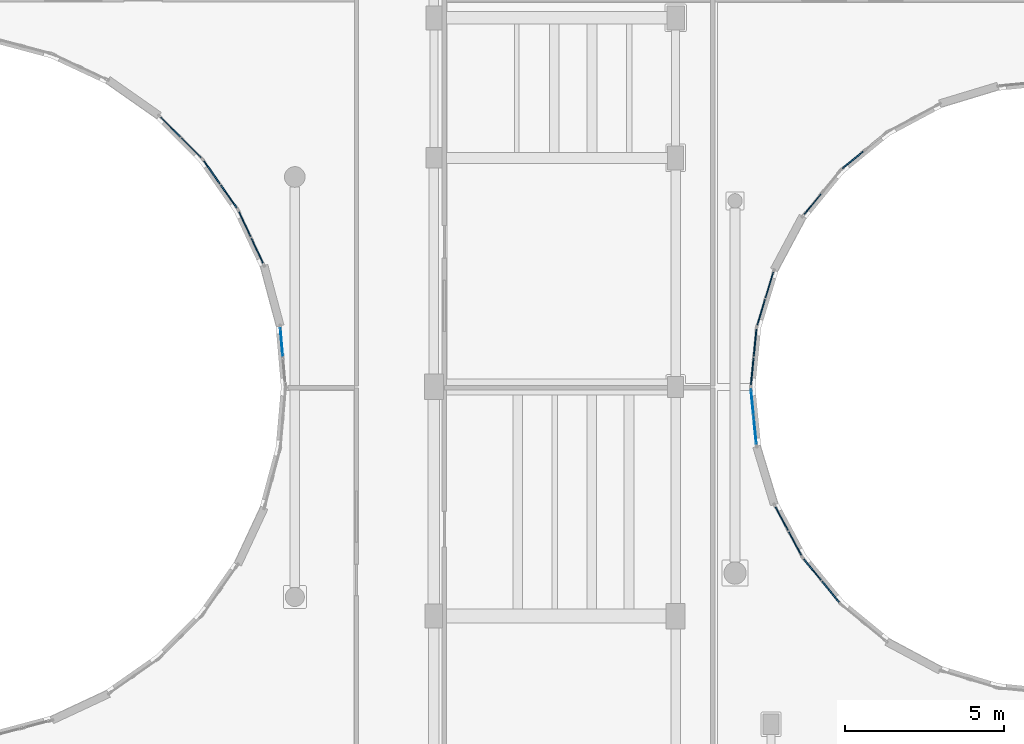
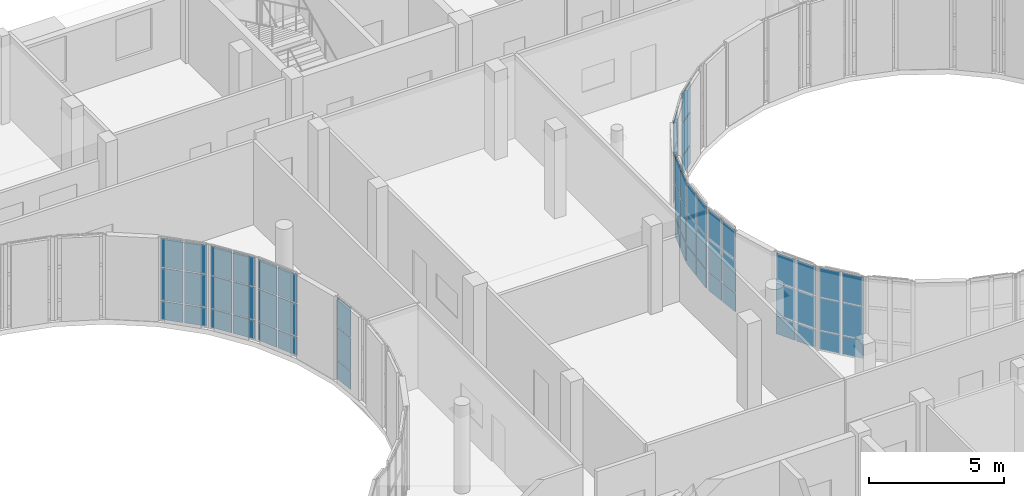
# One storey, part 59 of 92: 57 plates, 11 elements without a shape of their own.
"""IFC4 building model written with IfcOpenShell, lengths in metres."""

import ifcopenshell
import ifcopenshell.guid

model = None  # the IFC model being written
_history = None  # IfcOwnerHistory: only IFC2X3 demands one
_inside = {}  # id of a spatial element -> (the spatial element, [elements in it])
_under = {}  # id of a project, library or spatial element -> (it, [spatial elements below it])
_declared = {}  # id of a project -> (the project, [libraries it declares])
_typed = {}  # id of a type object -> (the type object, [elements of that type])
_made_of = {}  # id of a material, layer set ... -> (it, [elements and type objects made of it])


def new_model(schema):
    """Start an empty IFC model of exactly this schema.

    Asked for "IFC4X3", IfcOpenShell would pick the latest addendum, in which some entities
    have other attributes; the version numbers below select the first issue.
    IFC2X3 requires an IfcOwnerHistory on every rooted entity: one is made here for all.
    """
    global model, _history
    if schema == "IFC4X3":
        model = ifcopenshell.file(schema_version=(4, 3, 0, 0))
    else:
        model = ifcopenshell.file(schema=schema)
    _inside.clear()
    _under.clear()
    _declared.clear()
    _typed.clear()
    _made_of.clear()
    _history = None
    if model.schema == "IFC2X3":
        org = make("IfcOrganization", Name="unknown")
        user = make(
            "IfcPersonAndOrganization",
            ThePerson=make("IfcPerson", FamilyName="unknown"),
            TheOrganization=org,
        )
        app = make(
            "IfcApplication",
            ApplicationDeveloper=org,
            Version="unknown",
            ApplicationFullName="unknown",
            ApplicationIdentifier="unknown",
        )
        _history = make(
            "IfcOwnerHistory",
            OwningUser=user,
            OwningApplication=app,
            ChangeAction="ADDED",
            CreationDate=0,
        )
    return model


def make(cls, **values):
    """One entity of the class cls with the attributes given. An attribute that is None is left unset."""
    return model.create_entity(
        cls, **{name: value for name, value in values.items() if value is not None}
    )


def rooted(cls, **values):
    """An entity with a GlobalId (a new one), such as an element, a storey or a relation."""
    return make(cls, GlobalId=ifcopenshell.guid.new(), OwnerHistory=_history, **values)


def si_unit(unit_type, name, prefix=None):
    """IfcSIUnit, for example si_unit("LENGTHUNIT", "METRE", prefix="MILLI")."""
    return make("IfcSIUnit", UnitType=unit_type, Prefix=prefix, Name=name)


def assignment(units):
    """IfcUnitAssignment: the units of a project."""
    return None if units is None else make("IfcUnitAssignment", Units=units)


def point(xyz):
    """IfcCartesianPoint."""
    return None if xyz is None else make("IfcCartesianPoint", Coordinates=xyz)


def direction(xyz):
    """IfcDirection."""
    return None if xyz is None else make("IfcDirection", DirectionRatios=xyz)


def frame(location, z_axis=None, x_axis=None):
    """IfcAxis2Placement3D, a coordinate frame: its origin and axes. An axis left out is left unset."""
    return make(
        "IfcAxis2Placement3D",
        Location=point(location),
        Axis=direction(z_axis),
        RefDirection=direction(x_axis),
    )


def frame_2d(location, x_axis=None):
    """IfcAxis2Placement2D, a coordinate frame in the plane: its origin and x axis."""
    return make(
        "IfcAxis2Placement2D", Location=point(location), RefDirection=direction(x_axis)
    )


def origin():
    """The frame at (0, 0, 0) with its axes left unset."""
    return frame((0.0, 0.0, 0.0))


def origin_2d():
    """The frame at (0, 0) in the plane with its x axis left unset."""
    return frame_2d((0.0, 0.0))


def place(relative_to, where):
    """IfcLocalPlacement: puts the frame where relative to a parent placement (None: the world)."""
    return make(
        "IfcLocalPlacement", PlacementRelTo=relative_to, RelativePlacement=where
    )


def context(
    kind, dimensions, precision=None, world=None, true_north=None, identifier=None
):
    """IfcGeometricRepresentationContext, for example the 3D "Model" context."""
    return make(
        "IfcGeometricRepresentationContext",
        ContextIdentifier=identifier,
        ContextType=kind,
        CoordinateSpaceDimension=dimensions,
        Precision=precision,
        WorldCoordinateSystem=world,
        TrueNorth=true_north,
    )


def subcontext(parent, identifier, kind, view, scale=None):
    """IfcGeometricRepresentationSubContext, for example "Body" below "Model"."""
    return make(
        "IfcGeometricRepresentationSubContext",
        ContextIdentifier=identifier,
        ContextType=kind,
        ParentContext=parent,
        TargetScale=scale,
        TargetView=view,
    )


def project(units=None, contexts=None):
    """IfcProject with its units and contexts."""
    return rooted(
        "IfcProject",
        Name="project",
        RepresentationContexts=contexts,
        UnitsInContext=assignment(units),
    )


def spatial(cls, under=None, at=None, **own):
    """A site, building, storey or space (cls), placed at a placement, below another one or the project."""
    s = rooted(cls, ObjectPlacement=at, **own)
    if under is not None:
        _under.setdefault(under.id(), (under, []))[1].append(s)
    return s


def profile(cls, at=None, kind="AREA", **sizes):
    """A parametric profile (cls). Its sizes go by their IFC names, for example OverallWidth=200.0."""
    return make(cls, ProfileType=kind, Position=at, **sizes)


def rectangle(**sizes):
    """IfcRectangleProfileDef."""
    return profile("IfcRectangleProfileDef", **sizes)


def extrude(swept, where, along, depth):
    """IfcExtrudedAreaSolid: the profile swept, set in the frame where, extruded along a direction by depth."""
    return make(
        "IfcExtrudedAreaSolid",
        SweptArea=swept,
        Position=where,
        ExtrudedDirection=direction(along),
        Depth=depth,
    )


def shape(context_of_items, identifier, shape_type, items):
    """IfcShapeRepresentation: the items that make up one representation, for example the "Body"."""
    return make(
        "IfcShapeRepresentation",
        ContextOfItems=context_of_items,
        RepresentationIdentifier=identifier,
        RepresentationType=shape_type,
        Items=items,
    )


def material(Name=None, Category=None):
    """IfcMaterial."""
    return make("IfcMaterial", Name=Name, Category=Category)


def layer(
    of_material, thickness, ventilated=None, Name=None, Category=None, Priority=None
):
    """IfcMaterialLayer: one layer of a wall or slab, of a material (None: an air gap)."""
    return make(
        "IfcMaterialLayer",
        Material=of_material,
        LayerThickness=thickness,
        IsVentilated=ventilated,
        Name=Name,
        Category=Category,
        Priority=Priority,
    )


def layer_set(layers, Name=None):
    """IfcMaterialLayerSet."""
    return make("IfcMaterialLayerSet", MaterialLayers=layers, LayerSetName=Name)


def made_of(thing, what):
    """Note that an element or type object is made of a material, layer set ...; save() writes the relation."""
    if what is not None:
        _made_of.setdefault(what.id(), (what, []))[1].append(thing)
    return thing


def type_object(cls, material=None, **own):
    """A type object (cls), such as IfcWallType, which elements share."""
    return made_of(rooted(cls, **own), material)


def element(
    cls,
    number,
    at=None,
    inside=None,
    cuts=None,
    type_object=None,
    material=None,
    context=None,
    identifier="Body",
    shape_type=None,
    held_by="IfcProductDefinitionShape",
    body=None,
    shapes=None,
    **own,
):
    """One element of the class cls, such as IfcWall. Its Tag is "e" and its number.

    at: its placement. inside: the storey or other place that contains it. cuts: it is an
    opening in that element (IfcRelVoidsElement). A single representation is given by context,
    identifier, shape_type and body (its items); several are given by shapes. held_by: the class
    of the entity that holds the representations. save() writes the other relations.
    """
    e = rooted(cls, Tag="e%d" % number, ObjectPlacement=at, **own)
    if body is not None:
        shapes = [shape(context, identifier, shape_type, body)]
    if shapes is not None:
        e.Representation = make(held_by, Representations=shapes)
    if inside is not None:
        _inside.setdefault(inside.id(), (inside, []))[1].append(e)
    if cuts is not None:
        rooted(
            "IfcRelVoidsElement", RelatingBuildingElement=cuts, RelatedOpeningElement=e
        )
    if type_object is not None:
        _typed.setdefault(type_object.id(), (type_object, []))[1].append(e)
    return made_of(e, material)


def aggregate(whole, parts):
    """IfcRelAggregates: a whole, such as a stair, and the parts it consists of."""
    return rooted("IfcRelAggregates", RelatingObject=whole, RelatedObjects=parts)


def save(model, path):
    """Write the relations noted so far, then the file.

    IfcRelAggregates (storeys below a building ...), IfcRelContainedInSpatialStructure (elements
    in a storey), IfcRelDefinesByType, IfcRelAssociatesMaterial and IfcRelDeclares: one each for
    every whole, place, type object, material and project.
    """
    for whole, parts in _under.values():
        aggregate(whole, parts)
    for where, things in _inside.values():
        rooted(
            "IfcRelContainedInSpatialStructure",
            RelatedElements=things,
            RelatingStructure=where,
        )
    for kind, things in _typed.values():
        rooted("IfcRelDefinesByType", RelatedObjects=things, RelatingType=kind)
    for what, things in _made_of.values():
        rooted("IfcRelAssociatesMaterial", RelatedObjects=things, RelatingMaterial=what)
    for by, libraries in _declared.values():
        rooted("IfcRelDeclares", RelatingContext=by, RelatedDefinitions=libraries)
    model.write(path)


model = new_model("IFC4")

# Units and contexts
model_context = context("Model", 3, precision=1e-05, world=origin(), true_north=direction((0.0, 1.0)))
body_context = subcontext(model_context, "Body", "Model", "MODEL_VIEW")
ifc_project = project(units=[si_unit("LENGTHUNIT", "METRE"), si_unit("AREAUNIT", "SQUARE_METRE"), si_unit("VOLUMEUNIT", "CUBIC_METRE"), si_unit("PLANEANGLEUNIT", "RADIAN"), si_unit("MASSUNIT", "GRAM", prefix="KILO")], contexts=[model_context])

# Site, building, storey
site_placement = place(None, origin())
site = spatial("IfcSite", under=ifc_project, at=site_placement, CompositionType="ELEMENT")
building_placement = place(site_placement, origin())
building = spatial("IfcBuilding", under=site, at=building_placement, Name="Kelanivale Promenade Academy", CompositionType="ELEMENT")
storey_placement = place(building_placement, frame((0.0, 0.0, 8.199951171875)))
storey = spatial("IfcBuildingStorey", under=building, at=storey_placement, Name="L02", CompositionType="ELEMENT", Elevation=8.199951171875)

# Curtain wall, plates
ifc_material_1 = material(Name="Bronze anodised aluminium and solar-control low-E glass", Category="aluminium")
ifc_layer_1 = layer(ifc_material_1, 0.169921875)
ifc_layer_set_1 = layer_set([ifc_layer_1], Name="Bronze anodised aluminium and solar-control low-E glass")
curtain_wall_type_1 = type_object("IfcCurtainWallType", Name="CW-16 Curtain Wall 1800mm Module", PredefinedType="USERDEFINED", material=ifc_layer_set_1)
curtain_wall_1_placement = place(storey_placement, origin())
curtain_wall_1 = element("IfcCurtainWall", 1, at=curtain_wall_1_placement, inside=storey, type_object=curtain_wall_type_1, Name="L02 courtyard curtain wall CW-16", ObjectType="COURTYARD SCREEN GLAZING", PredefinedType="USERDEFINED")
ifc_material_2 = material(Name="Solar-control double glazing 28 mm", Category="glass")
ifc_layer_2 = layer(ifc_material_2, 0.028076171875)
ifc_layer_set_2 = layer_set([ifc_layer_2], Name="Solar-control double glazing 28 mm")
plate_type_1 = type_object("IfcPlateType", Name="CWP-01 Plate 28mm", PredefinedType="CURTAIN_PANEL", material=ifc_layer_set_2)
plate_1_placement = place(storey_placement, frame((91.10595703125, 62.548583984375, 0.06005859375), z_axis=(0.0, 0.0, 1.0), x_axis=(-0.634092539482, -0.773257170269, 0.0)))
plate_1 = element("IfcPlate", 2, at=plate_1_placement, type_object=plate_type_1, Name="CW-16 panel 2.1", PredefinedType="CURTAIN_PANEL", context=body_context, shape_type="SweptSolid", body=[
    extrude(rectangle(XDim=0.825927734375, YDim=0.028076171875, at=origin_2d()), origin(), (0.0, 0.0, 1.0), 0.81005859375),
])
plate_2_placement = place(storey_placement, frame((91.10595703125, 62.548583984375, 0.93017578125), z_axis=(0.0, 0.0, 1.0), x_axis=(-0.634092539482, -0.773257170269, 0.0)))
plate_2 = element("IfcPlate", 3, at=plate_2_placement, type_object=plate_type_1, Name="CW-16 panel 2.2", PredefinedType="CURTAIN_PANEL", context=body_context, shape_type="SweptSolid", body=[
    extrude(rectangle(XDim=0.825927734375, YDim=0.028076171875, at=origin_2d()), origin(), (0.0, 0.0, 1.0), 1.43994140625),
])
plate_3_placement = place(storey_placement, frame((91.10595703125, 62.548583984375, 2.429931640625), z_axis=(0.0, 0.0, 1.0), x_axis=(-0.634092539482, -0.773257170269, 0.0)))
plate_3 = element("IfcPlate", 4, at=plate_3_placement, type_object=plate_type_1, Name="CW-16 panel 2.3", PredefinedType="CURTAIN_PANEL", context=body_context, shape_type="SweptSolid", body=[
    extrude(rectangle(XDim=0.825927734375, YDim=0.028076171875, at=origin_2d()), origin(), (0.0, 0.0, 1.0), 1.2900390625),
])
aggregate(curtain_wall_1, [plate_1, plate_2, plate_3])

ifc_layer_3 = layer(ifc_material_1, 0.169921875)
ifc_layer_set_3 = layer_set([ifc_layer_3], Name="Bronze anodised aluminium and solar-control low-E glass")
curtain_wall_type_2 = type_object("IfcCurtainWallType", Name="CW-19 Curtain Wall 1350mm Module", PredefinedType="USERDEFINED", material=ifc_layer_set_3)
curtain_wall_2_placement = place(storey_placement, origin())
curtain_wall_2 = element("IfcCurtainWall", 5, at=curtain_wall_2_placement, inside=storey, type_object=curtain_wall_type_2, Name="L02 courtyard curtain wall CW-19", ObjectType="COURTYARD SCREEN GLAZING", PredefinedType="USERDEFINED")
plate_4_placement = place(storey_placement, frame((89.2080078125, 56.310302734375, 0.05029296875), z_axis=(0.0, 0.0, 1.0), x_axis=(0.098538762159, -0.99513321337, 0.0)))
plate_4 = element("IfcPlate", 6, at=plate_4_placement, type_object=plate_type_1, Name="CW-19 panel 1.1", PredefinedType="CURTAIN_PANEL", context=body_context, shape_type="SweptSolid", body=[
    extrude(rectangle(XDim=0.825927734375, YDim=0.028076171875, at=origin_2d()), origin(), (0.0, 0.0, 1.0), 0.824951171875),
])
plate_5_placement = place(storey_placement, frame((89.2080078125, 56.310302734375, 0.92529296875), z_axis=(0.0, 0.0, 1.0), x_axis=(0.098538762159, -0.99513321337, 0.0)))
plate_5 = element("IfcPlate", 7, at=plate_5_placement, type_object=plate_type_1, Name="CW-19 panel 1.2", PredefinedType="CURTAIN_PANEL", context=body_context, shape_type="SweptSolid", body=[
    extrude(rectangle(XDim=0.825927734375, YDim=0.028076171875, at=origin_2d()), origin(), (0.0, 0.0, 1.0), 1.449951171875),
])
plate_6_placement = place(storey_placement, frame((89.2080078125, 56.310302734375, 2.42529296875), z_axis=(0.0, 0.0, 1.0), x_axis=(0.098538762159, -0.99513321337, 0.0)))
plate_6 = element("IfcPlate", 8, at=plate_6_placement, type_object=plate_type_1, Name="CW-19 panel 1.3", PredefinedType="CURTAIN_PANEL", context=body_context, shape_type="SweptSolid", body=[
    extrude(rectangle(XDim=0.825927734375, YDim=0.028076171875, at=origin_2d()), origin(), (0.0, 0.0, 1.0), 1.304931640625),
])
plate_7_placement = place(storey_placement, frame((89.2958984375, 55.423583984375, 0.05029296875), z_axis=(0.0, 0.0, 1.0), x_axis=(0.098538762159, -0.99513321337, 0.0)))
plate_7 = element("IfcPlate", 9, at=plate_7_placement, type_object=plate_type_1, Name="CW-19 panel 2.1", PredefinedType="CURTAIN_PANEL", context=body_context, shape_type="SweptSolid", body=[
    extrude(rectangle(XDim=0.825927734375, YDim=0.028076171875, at=origin_2d()), origin(), (0.0, 0.0, 1.0), 0.824951171875),
])
plate_8_placement = place(storey_placement, frame((89.2958984375, 55.423583984375, 0.92529296875), z_axis=(0.0, 0.0, 1.0), x_axis=(0.098538762159, -0.99513321337, 0.0)))
plate_8 = element("IfcPlate", 10, at=plate_8_placement, type_object=plate_type_1, Name="CW-19 panel 2.2", PredefinedType="CURTAIN_PANEL", context=body_context, shape_type="SweptSolid", body=[
    extrude(rectangle(XDim=0.825927734375, YDim=0.028076171875, at=origin_2d()), origin(), (0.0, 0.0, 1.0), 1.449951171875),
])
plate_9_placement = place(storey_placement, frame((89.2958984375, 55.423583984375, 2.42529296875), z_axis=(0.0, 0.0, 1.0), x_axis=(0.098538762159, -0.99513321337, 0.0)))
plate_9 = element("IfcPlate", 11, at=plate_9_placement, type_object=plate_type_1, Name="CW-19 panel 2.3", PredefinedType="CURTAIN_PANEL", context=body_context, shape_type="SweptSolid", body=[
    extrude(rectangle(XDim=0.825927734375, YDim=0.028076171875, at=origin_2d()), origin(), (0.0, 0.0, 1.0), 1.304931640625),
])
aggregate(curtain_wall_2, [plate_4, plate_5, plate_6, plate_7, plate_8, plate_9])

ifc_layer_4 = layer(ifc_material_1, 0.169921875)
ifc_layer_set_4 = layer_set([ifc_layer_4], Name="Bronze anodised aluminium and solar-control low-E glass")
curtain_wall_type_3 = type_object("IfcCurtainWallType", Name="CW-10 Curtain Wall 1800mm Module", PredefinedType="USERDEFINED", material=ifc_layer_set_4)
curtain_wall_3_placement = place(storey_placement, origin())
curtain_wall_3 = element("IfcCurtainWall", 12, at=curtain_wall_3_placement, inside=storey, type_object=curtain_wall_type_3, Name="L02 courtyard curtain wall CW-10", ObjectType="UNITISED GLAZING", PredefinedType="USERDEFINED")
plate_10_placement = place(storey_placement, frame((71.578369140625, 64.316650390625, 0.05029296875), z_axis=(0.0, 0.0, 1.0), x_axis=(-0.707106781187, 0.707106781187, 0.0)))
plate_10 = element("IfcPlate", 13, at=plate_10_placement, type_object=plate_type_1, Name="CW-10 panel 1.1", PredefinedType="CURTAIN_PANEL", context=body_context, shape_type="SweptSolid", body=[
    extrude(rectangle(XDim=0.8603515625, YDim=0.028076171875, at=origin_2d()), origin(), (0.0, 0.0, 1.0), 0.824951171875),
])
plate_11_placement = place(storey_placement, frame((71.578369140625, 64.316650390625, 0.92529296875), z_axis=(0.0, 0.0, 1.0), x_axis=(-0.707106781187, 0.707106781187, 0.0)))
plate_11 = element("IfcPlate", 14, at=plate_11_placement, type_object=plate_type_1, Name="CW-10 panel 1.2", PredefinedType="CURTAIN_PANEL", context=body_context, shape_type="SweptSolid", body=[
    extrude(rectangle(XDim=0.8603515625, YDim=0.028076171875, at=origin_2d()), origin(), (0.0, 0.0, 1.0), 1.449951171875),
])
plate_12_placement = place(storey_placement, frame((71.578369140625, 64.316650390625, 2.42529296875), z_axis=(0.0, 0.0, 1.0), x_axis=(-0.707106781187, 0.707106781187, 0.0)))
plate_12 = element("IfcPlate", 15, at=plate_12_placement, type_object=plate_type_1, Name="CW-10 panel 1.3", PredefinedType="CURTAIN_PANEL", context=body_context, shape_type="SweptSolid", body=[
    extrude(rectangle(XDim=0.8603515625, YDim=0.028076171875, at=origin_2d()), origin(), (0.0, 0.0, 1.0), 1.304931640625),
])
plate_13_placement = place(storey_placement, frame((70.927490234375, 64.96728515625, 0.05029296875), z_axis=(0.0, 0.0, 1.0), x_axis=(-0.707106781187, 0.707106781187, 0.0)))
plate_13 = element("IfcPlate", 16, at=plate_13_placement, type_object=plate_type_1, Name="CW-10 panel 2.1", PredefinedType="CURTAIN_PANEL", context=body_context, shape_type="SweptSolid", body=[
    extrude(rectangle(XDim=0.8603515625, YDim=0.028076171875, at=origin_2d()), origin(), (0.0, 0.0, 1.0), 0.824951171875),
])
plate_14_placement = place(storey_placement, frame((70.927490234375, 64.96728515625, 0.92529296875), z_axis=(0.0, 0.0, 1.0), x_axis=(-0.707106781187, 0.707106781187, 0.0)))
plate_14 = element("IfcPlate", 17, at=plate_14_placement, type_object=plate_type_1, Name="CW-10 panel 2.2", PredefinedType="CURTAIN_PANEL", context=body_context, shape_type="SweptSolid", body=[
    extrude(rectangle(XDim=0.8603515625, YDim=0.028076171875, at=origin_2d()), origin(), (0.0, 0.0, 1.0), 1.449951171875),
])
plate_15_placement = place(storey_placement, frame((70.927490234375, 64.96728515625, 2.42529296875), z_axis=(0.0, 0.0, 1.0), x_axis=(-0.707106781187, 0.707106781187, 0.0)))
plate_15 = element("IfcPlate", 18, at=plate_15_placement, type_object=plate_type_1, Name="CW-10 panel 2.3", PredefinedType="CURTAIN_PANEL", context=body_context, shape_type="SweptSolid", body=[
    extrude(rectangle(XDim=0.8603515625, YDim=0.028076171875, at=origin_2d()), origin(), (0.0, 0.0, 1.0), 1.304931640625),
])
aggregate(curtain_wall_3, [plate_10, plate_11, plate_12, plate_13, plate_14, plate_15])

curtain_wall_4_placement = place(storey_placement, origin())
curtain_wall_4 = element("IfcCurtainWall", 19, at=curtain_wall_4_placement, inside=storey, type_object=curtain_wall_type_3, Name="L02 courtyard curtain wall CW-10", ObjectType="UNITISED GLAZING", PredefinedType="USERDEFINED")
plate_16_placement = place(storey_placement, frame((74.415771484375, 58.21826171875, 0.05029296875), z_axis=(0.0, 0.0, 1.0), x_axis=(-0.087264768066, 0.996185153601, 0.0)))
plate_16 = element("IfcPlate", 20, at=plate_16_placement, type_object=plate_type_1, Name="CW-10 panel 2.1", PredefinedType="CURTAIN_PANEL", context=body_context, shape_type="SweptSolid", body=[
    extrude(rectangle(XDim=0.861083984375, YDim=0.028076171875, at=origin_2d()), origin(), (0.0, 0.0, 1.0), 0.824951171875),
])
plate_17_placement = place(storey_placement, frame((74.415771484375, 58.21826171875, 0.92529296875), z_axis=(0.0, 0.0, 1.0), x_axis=(-0.087264768066, 0.996185153601, 0.0)))
plate_17 = element("IfcPlate", 21, at=plate_17_placement, type_object=plate_type_1, Name="CW-10 panel 2.2", PredefinedType="CURTAIN_PANEL", context=body_context, shape_type="SweptSolid", body=[
    extrude(rectangle(XDim=0.861083984375, YDim=0.028076171875, at=origin_2d()), origin(), (0.0, 0.0, 1.0), 1.449951171875),
])
plate_18_placement = place(storey_placement, frame((74.415771484375, 58.21826171875, 2.42529296875), z_axis=(0.0, 0.0, 1.0), x_axis=(-0.087264768066, 0.996185153601, 0.0)))
plate_18 = element("IfcPlate", 22, at=plate_18_placement, type_object=plate_type_1, Name="CW-10 panel 2.3", PredefinedType="CURTAIN_PANEL", context=body_context, shape_type="SweptSolid", body=[
    extrude(rectangle(XDim=0.861083984375, YDim=0.028076171875, at=origin_2d()), origin(), (0.0, 0.0, 1.0), 1.304931640625),
])
aggregate(curtain_wall_4, [plate_16, plate_17, plate_18])

ifc_layer_5 = layer(ifc_material_1, 0.179931640625)
ifc_layer_set_5 = layer_set([ifc_layer_5], Name="Bronze anodised aluminium and solar-control low-E glass")
curtain_wall_type_4 = type_object("IfcCurtainWallType", Name="CW-17 Curtain Wall 1950mm Module", PredefinedType="USERDEFINED", material=ifc_layer_set_5)
curtain_wall_5_placement = place(storey_placement, origin())
curtain_wall_5 = element("IfcCurtainWall", 23, at=curtain_wall_5_placement, inside=storey, type_object=curtain_wall_type_4, Name="L02 courtyard curtain wall CW-17", ObjectType="COURTYARD SCREEN GLAZING", PredefinedType="USERDEFINED")
ifc_material_3 = material(Name="Acoustic laminated double glazing 36 mm", Category="glass")
ifc_layer_6 = layer(ifc_material_3, 0.035888671875)
ifc_layer_set_6 = layer_set([ifc_layer_6], Name="Acoustic laminated double glazing 36 mm")
plate_type_2 = type_object("IfcPlateType", Name="CWP-02 Plate 36mm", PredefinedType="CURTAIN_PANEL", material=ifc_layer_set_6)
plate_19_placement = place(storey_placement, frame((89.74658203125, 60.005615234375, 0.05029296875), z_axis=(0.0, 0.0, 1.0), x_axis=(-0.290127576893, -0.956987977524, 0.0)))
plate_19 = element("IfcPlate", 24, at=plate_19_placement, type_object=plate_type_2, Name="CW-17 panel 1.1", PredefinedType="CURTAIN_PANEL", context=body_context, shape_type="SweptSolid", body=[
    extrude(rectangle(XDim=0.833740234375, YDim=0.035888671875, at=origin_2d()), origin(), (0.0, 0.0, 1.0), 0.824951171875),
])
plate_20_placement = place(storey_placement, frame((89.74658203125, 60.005615234375, 0.92529296875), z_axis=(0.0, 0.0, 1.0), x_axis=(-0.290127576893, -0.956987977524, 0.0)))
plate_20 = element("IfcPlate", 25, at=plate_20_placement, type_object=plate_type_2, Name="CW-17 panel 1.2", PredefinedType="CURTAIN_PANEL", context=body_context, shape_type="SweptSolid", body=[
    extrude(rectangle(XDim=0.833740234375, YDim=0.035888671875, at=origin_2d()), origin(), (0.0, 0.0, 1.0), 1.449951171875),
])
plate_21_placement = place(storey_placement, frame((89.74658203125, 60.005615234375, 2.42529296875), z_axis=(0.0, 0.0, 1.0), x_axis=(-0.290127576893, -0.956987977524, 0.0)))
plate_21 = element("IfcPlate", 26, at=plate_21_placement, type_object=plate_type_2, Name="CW-17 panel 1.3", PredefinedType="CURTAIN_PANEL", context=body_context, shape_type="SweptSolid", body=[
    extrude(rectangle(XDim=0.833740234375, YDim=0.035888671875, at=origin_2d()), origin(), (0.0, 0.0, 1.0), 1.304931640625),
])
plate_22_placement = place(storey_placement, frame((89.4873046875, 59.150390625, 0.05029296875), z_axis=(0.0, 0.0, 1.0), x_axis=(-0.290127576893, -0.956987977524, 0.0)))
plate_22 = element("IfcPlate", 27, at=plate_22_placement, type_object=plate_type_2, Name="CW-17 panel 2.1", PredefinedType="CURTAIN_PANEL", context=body_context, shape_type="SweptSolid", body=[
    extrude(rectangle(XDim=0.833740234375, YDim=0.035888671875, at=origin_2d()), origin(), (0.0, 0.0, 1.0), 0.824951171875),
])
plate_23_placement = place(storey_placement, frame((89.4873046875, 59.150390625, 0.92529296875), z_axis=(0.0, 0.0, 1.0), x_axis=(-0.290127576893, -0.956987977524, 0.0)))
plate_23 = element("IfcPlate", 28, at=plate_23_placement, type_object=plate_type_2, Name="CW-17 panel 2.2", PredefinedType="CURTAIN_PANEL", context=body_context, shape_type="SweptSolid", body=[
    extrude(rectangle(XDim=0.833740234375, YDim=0.035888671875, at=origin_2d()), origin(), (0.0, 0.0, 1.0), 1.449951171875),
])
plate_24_placement = place(storey_placement, frame((89.4873046875, 59.150390625, 2.42529296875), z_axis=(0.0, 0.0, 1.0), x_axis=(-0.290127576893, -0.956987977524, 0.0)))
plate_24 = element("IfcPlate", 29, at=plate_24_placement, type_object=plate_type_2, Name="CW-17 panel 2.3", PredefinedType="CURTAIN_PANEL", context=body_context, shape_type="SweptSolid", body=[
    extrude(rectangle(XDim=0.833740234375, YDim=0.035888671875, at=origin_2d()), origin(), (0.0, 0.0, 1.0), 1.304931640625),
])
aggregate(curtain_wall_5, [plate_19, plate_20, plate_21, plate_22, plate_23, plate_24])

ifc_layer_7 = layer(ifc_material_1, 0.179931640625)
ifc_layer_set_7 = layer_set([ifc_layer_7], Name="Bronze anodised aluminium and solar-control low-E glass")
curtain_wall_type_5 = type_object("IfcCurtainWallType", Name="CW-20 Curtain Wall 1500mm Module", PredefinedType="USERDEFINED", material=ifc_layer_set_7)
curtain_wall_6_placement = place(storey_placement, origin())
curtain_wall_6 = element("IfcCurtainWall", 30, at=curtain_wall_6_placement, inside=storey, type_object=curtain_wall_type_5, Name="L02 courtyard curtain wall CW-20", ObjectType="COURTYARD SCREEN GLAZING", PredefinedType="USERDEFINED")
plate_25_placement = place(storey_placement, frame((90.13232421875, 52.6640625, 0.06005859375), z_axis=(0.0, 0.0, 1.0), x_axis=(0.471290193914, -0.881978204448, 0.0)))
plate_25 = element("IfcPlate", 31, at=plate_25_placement, type_object=plate_type_2, Name="CW-20 panel 1.1", PredefinedType="CURTAIN_PANEL", context=body_context, shape_type="SweptSolid", body=[
    extrude(rectangle(XDim=0.82666015625, YDim=0.035888671875, at=origin_2d()), origin(), (0.0, 0.0, 1.0), 0.81005859375),
])
plate_26_placement = place(storey_placement, frame((90.13232421875, 52.6640625, 0.93017578125), z_axis=(0.0, 0.0, 1.0), x_axis=(0.471290193914, -0.881978204448, 0.0)))
plate_26 = element("IfcPlate", 32, at=plate_26_placement, type_object=plate_type_2, Name="CW-20 panel 1.2", PredefinedType="CURTAIN_PANEL", context=body_context, shape_type="SweptSolid", body=[
    extrude(rectangle(XDim=0.82666015625, YDim=0.035888671875, at=origin_2d()), origin(), (0.0, 0.0, 1.0), 1.43994140625),
])
plate_27_placement = place(storey_placement, frame((90.13232421875, 52.6640625, 2.429931640625), z_axis=(0.0, 0.0, 1.0), x_axis=(0.471290193914, -0.881978204448, 0.0)))
plate_27 = element("IfcPlate", 33, at=plate_27_placement, type_object=plate_type_2, Name="CW-20 panel 1.3", PredefinedType="CURTAIN_PANEL", context=body_context, shape_type="SweptSolid", body=[
    extrude(rectangle(XDim=0.82666015625, YDim=0.035888671875, at=origin_2d()), origin(), (0.0, 0.0, 1.0), 1.2900390625),
])
plate_28_placement = place(storey_placement, frame((90.552490234375, 51.8779296875, 0.06005859375), z_axis=(0.0, 0.0, 1.0), x_axis=(0.471290193914, -0.881978204448, 0.0)))
plate_28 = element("IfcPlate", 34, at=plate_28_placement, type_object=plate_type_2, Name="CW-20 panel 2.1", PredefinedType="CURTAIN_PANEL", context=body_context, shape_type="SweptSolid", body=[
    extrude(rectangle(XDim=0.82666015625, YDim=0.035888671875, at=origin_2d()), origin(), (0.0, 0.0, 1.0), 0.81005859375),
])
plate_29_placement = place(storey_placement, frame((90.552490234375, 51.8779296875, 0.93017578125), z_axis=(0.0, 0.0, 1.0), x_axis=(0.471290193914, -0.881978204448, 0.0)))
plate_29 = element("IfcPlate", 35, at=plate_29_placement, type_object=plate_type_2, Name="CW-20 panel 2.2", PredefinedType="CURTAIN_PANEL", context=body_context, shape_type="SweptSolid", body=[
    extrude(rectangle(XDim=0.82666015625, YDim=0.035888671875, at=origin_2d()), origin(), (0.0, 0.0, 1.0), 1.43994140625),
])
plate_30_placement = place(storey_placement, frame((90.552490234375, 51.8779296875, 2.429931640625), z_axis=(0.0, 0.0, 1.0), x_axis=(0.471290193914, -0.881978204448, 0.0)))
plate_30 = element("IfcPlate", 36, at=plate_30_placement, type_object=plate_type_2, Name="CW-20 panel 2.3", PredefinedType="CURTAIN_PANEL", context=body_context, shape_type="SweptSolid", body=[
    extrude(rectangle(XDim=0.82666015625, YDim=0.035888671875, at=origin_2d()), origin(), (0.0, 0.0, 1.0), 1.2900390625),
])
aggregate(curtain_wall_6, [plate_25, plate_26, plate_27, plate_28, plate_29, plate_30])

ifc_layer_8 = layer(ifc_material_1, 0.179931640625)
ifc_layer_set_8 = layer_set([ifc_layer_8], Name="Bronze anodised aluminium and solar-control low-E glass")
curtain_wall_type_6 = type_object("IfcCurtainWallType", Name="CW-08 Curtain Wall 1500mm Module", PredefinedType="USERDEFINED", material=ifc_layer_set_8)
curtain_wall_7_placement = place(storey_placement, origin())
curtain_wall_7 = element("IfcCurtainWall", 37, at=curtain_wall_7_placement, inside=storey, type_object=curtain_wall_type_6, Name="L02 courtyard curtain wall CW-08", ObjectType="UNITISED GLAZING", PredefinedType="USERDEFINED")
plate_31_placement = place(storey_placement, frame((73.64990234375, 61.080810546875, 0.06005859375), z_axis=(0.0, 0.0, 1.0), x_axis=(-0.423086860887, 0.906089128146, 0.0)))
plate_31 = element("IfcPlate", 38, at=plate_31_placement, type_object=plate_type_2, Name="CW-08 panel 1.1", PredefinedType="CURTAIN_PANEL", context=body_context, shape_type="SweptSolid", body=[
    extrude(rectangle(XDim=0.853759765625, YDim=0.035888671875, at=origin_2d()), origin(), (0.0, 0.0, 1.0), 0.81005859375),
])
plate_32_placement = place(storey_placement, frame((73.64990234375, 61.080810546875, 0.93017578125), z_axis=(0.0, 0.0, 1.0), x_axis=(-0.423086860887, 0.906089128146, 0.0)))
plate_32 = element("IfcPlate", 39, at=plate_32_placement, type_object=plate_type_2, Name="CW-08 panel 1.2", PredefinedType="CURTAIN_PANEL", context=body_context, shape_type="SweptSolid", body=[
    extrude(rectangle(XDim=0.853759765625, YDim=0.035888671875, at=origin_2d()), origin(), (0.0, 0.0, 1.0), 1.43994140625),
])
plate_33_placement = place(storey_placement, frame((73.64990234375, 61.080810546875, 2.429931640625), z_axis=(0.0, 0.0, 1.0), x_axis=(-0.423086860887, 0.906089128146, 0.0)))
plate_33 = element("IfcPlate", 40, at=plate_33_placement, type_object=plate_type_2, Name="CW-08 panel 1.3", PredefinedType="CURTAIN_PANEL", context=body_context, shape_type="SweptSolid", body=[
    extrude(rectangle(XDim=0.853759765625, YDim=0.035888671875, at=origin_2d()), origin(), (0.0, 0.0, 1.0), 1.2900390625),
])
plate_34_placement = place(storey_placement, frame((73.26123046875, 61.913330078125, 0.06005859375), z_axis=(0.0, 0.0, 1.0), x_axis=(-0.423086860887, 0.906089128146, 0.0)))
plate_34 = element("IfcPlate", 41, at=plate_34_placement, type_object=plate_type_2, Name="CW-08 panel 2.1", PredefinedType="CURTAIN_PANEL", context=body_context, shape_type="SweptSolid", body=[
    extrude(rectangle(XDim=0.853759765625, YDim=0.035888671875, at=origin_2d()), origin(), (0.0, 0.0, 1.0), 0.81005859375),
])
plate_35_placement = place(storey_placement, frame((73.26123046875, 61.913330078125, 0.93017578125), z_axis=(0.0, 0.0, 1.0), x_axis=(-0.423086860887, 0.906089128146, 0.0)))
plate_35 = element("IfcPlate", 42, at=plate_35_placement, type_object=plate_type_2, Name="CW-08 panel 2.2", PredefinedType="CURTAIN_PANEL", context=body_context, shape_type="SweptSolid", body=[
    extrude(rectangle(XDim=0.853759765625, YDim=0.035888671875, at=origin_2d()), origin(), (0.0, 0.0, 1.0), 1.43994140625),
])
plate_36_placement = place(storey_placement, frame((73.26123046875, 61.913330078125, 2.429931640625), z_axis=(0.0, 0.0, 1.0), x_axis=(-0.423086860887, 0.906089128146, 0.0)))
plate_36 = element("IfcPlate", 43, at=plate_36_placement, type_object=plate_type_2, Name="CW-08 panel 2.3", PredefinedType="CURTAIN_PANEL", context=body_context, shape_type="SweptSolid", body=[
    extrude(rectangle(XDim=0.853759765625, YDim=0.035888671875, at=origin_2d()), origin(), (0.0, 0.0, 1.0), 1.2900390625),
])
aggregate(curtain_wall_7, [plate_31, plate_32, plate_33, plate_34, plate_35, plate_36])

ifc_layer_9 = layer(ifc_material_1, 0.159912109375)
ifc_layer_set_9 = layer_set([ifc_layer_9], Name="Bronze anodised aluminium and solar-control low-E glass")
curtain_wall_type_7 = type_object("IfcCurtainWallType", Name="CW-15 Curtain Wall 1650mm Module", PredefinedType="USERDEFINED", material=ifc_layer_set_9)
curtain_wall_8_placement = place(storey_placement, origin())
curtain_wall_8 = element("IfcCurtainWall", 44, at=curtain_wall_8_placement, inside=storey, type_object=curtain_wall_type_7, Name="L02 courtyard curtain wall CW-15", ObjectType="COURTYARD SCREEN GLAZING", PredefinedType="USERDEFINED")
ifc_material_4 = material(Name="Insulated bronze aluminium spandrel panel 44 mm", Category="aluminium")
ifc_layer_10 = layer(ifc_material_4, 0.0439453125)
ifc_layer_set_10 = layer_set([ifc_layer_10], Name="Insulated bronze aluminium spandrel panel 44 mm")
plate_type_3 = type_object("IfcPlateType", Name="CWP-03 Plate 44mm", PredefinedType="CURTAIN_PANEL", material=ifc_layer_set_10)
plate_37_placement = place(storey_placement, frame((92.365478515625, 63.931640625, 0.05029296875), z_axis=(0.0, 0.0, 1.0), x_axis=(-0.773215132597, -0.634143799719, 0.0)))
plate_37 = element("IfcPlate", 45, at=plate_37_placement, type_object=plate_type_3, Name="CW-15 panel 2.1", PredefinedType="CURTAIN_PANEL", context=body_context, shape_type="SweptSolid", body=[
    extrude(rectangle(XDim=0.833740234375, YDim=0.0439453125, at=origin_2d()), origin(), (0.0, 0.0, 1.0), 0.824951171875),
])
plate_38_placement = place(storey_placement, frame((92.365478515625, 63.931640625, 0.92529296875), z_axis=(0.0, 0.0, 1.0), x_axis=(-0.773215132597, -0.634143799719, 0.0)))
plate_38 = element("IfcPlate", 46, at=plate_38_placement, type_object=plate_type_3, Name="CW-15 panel 2.2", PredefinedType="CURTAIN_PANEL", context=body_context, shape_type="SweptSolid", body=[
    extrude(rectangle(XDim=0.833740234375, YDim=0.0439453125, at=origin_2d()), origin(), (0.0, 0.0, 1.0), 1.449951171875),
])
plate_39_placement = place(storey_placement, frame((92.365478515625, 63.931640625, 2.42529296875), z_axis=(0.0, 0.0, 1.0), x_axis=(-0.773215132597, -0.634143799719, 0.0)))
plate_39 = element("IfcPlate", 47, at=plate_39_placement, type_object=plate_type_3, Name="CW-15 panel 2.3", PredefinedType="CURTAIN_PANEL", context=body_context, shape_type="SweptSolid", body=[
    extrude(rectangle(XDim=0.833740234375, YDim=0.0439453125, at=origin_2d()), origin(), (0.0, 0.0, 1.0), 1.304931640625),
])
aggregate(curtain_wall_8, [plate_37, plate_38, plate_39])

ifc_layer_11 = layer(ifc_material_1, 0.159912109375)
ifc_layer_set_11 = layer_set([ifc_layer_11], Name="Bronze anodised aluminium and solar-control low-E glass")
curtain_wall_type_8 = type_object("IfcCurtainWallType", Name="CW-18 Curtain Wall 1200mm Module", PredefinedType="USERDEFINED", material=ifc_layer_set_11)
curtain_wall_9_placement = place(storey_placement, origin())
curtain_wall_9 = element("IfcCurtainWall", 48, at=curtain_wall_9_placement, inside=storey, type_object=curtain_wall_type_8, Name="L02 courtyard curtain wall CW-18", ObjectType="COURTYARD SCREEN GLAZING", PredefinedType="USERDEFINED")
plate_40_placement = place(storey_placement, frame((89.296875, 58.188720703125, 0.05029296875), z_axis=(0.0, 0.0, 1.0), x_axis=(-0.098280652454, -0.995158737767, 0.0)))
plate_40 = element("IfcPlate", 49, at=plate_40_placement, type_object=plate_type_3, Name="CW-18 panel 1.1", PredefinedType="CURTAIN_PANEL", context=body_context, shape_type="SweptSolid", body=[
    extrude(rectangle(XDim=0.841064453125, YDim=0.0439453125, at=origin_2d()), origin(), (0.0, 0.0, 1.0), 0.824951171875),
])
plate_41_placement = place(storey_placement, frame((89.296875, 58.188720703125, 0.92529296875), z_axis=(0.0, 0.0, 1.0), x_axis=(-0.098280652454, -0.995158737767, 0.0)))
plate_41 = element("IfcPlate", 50, at=plate_41_placement, type_object=plate_type_3, Name="CW-18 panel 1.2", PredefinedType="CURTAIN_PANEL", context=body_context, shape_type="SweptSolid", body=[
    extrude(rectangle(XDim=0.841064453125, YDim=0.0439453125, at=origin_2d()), origin(), (0.0, 0.0, 1.0), 1.449951171875),
])
plate_42_placement = place(storey_placement, frame((89.296875, 58.188720703125, 2.42529296875), z_axis=(0.0, 0.0, 1.0), x_axis=(-0.098280652454, -0.995158737767, 0.0)))
plate_42 = element("IfcPlate", 51, at=plate_42_placement, type_object=plate_type_3, Name="CW-18 panel 1.3", PredefinedType="CURTAIN_PANEL", context=body_context, shape_type="SweptSolid", body=[
    extrude(rectangle(XDim=0.841064453125, YDim=0.0439453125, at=origin_2d()), origin(), (0.0, 0.0, 1.0), 1.304931640625),
])
plate_43_placement = place(storey_placement, frame((89.208251953125, 57.292236328125, 0.05029296875), z_axis=(0.0, 0.0, 1.0), x_axis=(-0.098280652454, -0.995158737767, 0.0)))
plate_43 = element("IfcPlate", 52, at=plate_43_placement, type_object=plate_type_3, Name="CW-18 panel 2.1", PredefinedType="CURTAIN_PANEL", context=body_context, shape_type="SweptSolid", body=[
    extrude(rectangle(XDim=0.841064453125, YDim=0.0439453125, at=origin_2d()), origin(), (0.0, 0.0, 1.0), 0.824951171875),
])
plate_44_placement = place(storey_placement, frame((89.208251953125, 57.292236328125, 0.92529296875), z_axis=(0.0, 0.0, 1.0), x_axis=(-0.098280652454, -0.995158737767, 0.0)))
plate_44 = element("IfcPlate", 53, at=plate_44_placement, type_object=plate_type_3, Name="CW-18 panel 2.2", PredefinedType="CURTAIN_PANEL", context=body_context, shape_type="SweptSolid", body=[
    extrude(rectangle(XDim=0.841064453125, YDim=0.0439453125, at=origin_2d()), origin(), (0.0, 0.0, 1.0), 1.449951171875),
])
plate_45_placement = place(storey_placement, frame((89.208251953125, 57.292236328125, 2.42529296875), z_axis=(0.0, 0.0, 1.0), x_axis=(-0.098280652454, -0.995158737767, 0.0)))
plate_45 = element("IfcPlate", 54, at=plate_45_placement, type_object=plate_type_3, Name="CW-18 panel 2.3", PredefinedType="CURTAIN_PANEL", context=body_context, shape_type="SweptSolid", body=[
    extrude(rectangle(XDim=0.841064453125, YDim=0.0439453125, at=origin_2d()), origin(), (0.0, 0.0, 1.0), 1.304931640625),
])
aggregate(curtain_wall_9, [plate_40, plate_41, plate_42, plate_43, plate_44, plate_45])

ifc_layer_12 = layer(ifc_material_1, 0.159912109375)
ifc_layer_set_12 = layer_set([ifc_layer_12], Name="Bronze anodised aluminium and solar-control low-E glass")
curtain_wall_type_9 = type_object("IfcCurtainWallType", Name="CW-21 Curtain Wall 1650mm Module", PredefinedType="USERDEFINED", material=ifc_layer_set_12)
curtain_wall_10_placement = place(storey_placement, origin())
curtain_wall_10 = element("IfcCurtainWall", 55, at=curtain_wall_10_placement, inside=storey, type_object=curtain_wall_type_9, Name="L02 courtyard curtain wall CW-21", ObjectType="COURTYARD SCREEN GLAZING", PredefinedType="USERDEFINED")
plate_46_placement = place(storey_placement, frame((91.09765625, 51.0615234375, 0.05029296875), z_axis=(0.0, 0.0, 1.0), x_axis=(0.634143799719, -0.773215132597, 0.0)))
plate_46 = element("IfcPlate", 56, at=plate_46_placement, type_object=plate_type_3, Name="CW-21 panel 1.1", PredefinedType="CURTAIN_PANEL", context=body_context, shape_type="SweptSolid", body=[
    extrude(rectangle(XDim=0.841064453125, YDim=0.0439453125, at=origin_2d()), origin(), (0.0, 0.0, 1.0), 0.824951171875),
])
plate_47_placement = place(storey_placement, frame((91.09765625, 51.0615234375, 0.92529296875), z_axis=(0.0, 0.0, 1.0), x_axis=(0.634143799719, -0.773215132597, 0.0)))
plate_47 = element("IfcPlate", 57, at=plate_47_placement, type_object=plate_type_3, Name="CW-21 panel 1.2", PredefinedType="CURTAIN_PANEL", context=body_context, shape_type="SweptSolid", body=[
    extrude(rectangle(XDim=0.841064453125, YDim=0.0439453125, at=origin_2d()), origin(), (0.0, 0.0, 1.0), 1.449951171875),
])
plate_48_placement = place(storey_placement, frame((91.09765625, 51.0615234375, 2.42529296875), z_axis=(0.0, 0.0, 1.0), x_axis=(0.634143799719, -0.773215132597, 0.0)))
plate_48 = element("IfcPlate", 58, at=plate_48_placement, type_object=plate_type_3, Name="CW-21 panel 1.3", PredefinedType="CURTAIN_PANEL", context=body_context, shape_type="SweptSolid", body=[
    extrude(rectangle(XDim=0.841064453125, YDim=0.0439453125, at=origin_2d()), origin(), (0.0, 0.0, 1.0), 1.304931640625),
])
plate_49_placement = place(storey_placement, frame((91.669189453125, 50.364501953125, 0.05029296875), z_axis=(0.0, 0.0, 1.0), x_axis=(0.634143799719, -0.773215132597, 0.0)))
plate_49 = element("IfcPlate", 59, at=plate_49_placement, type_object=plate_type_3, Name="CW-21 panel 2.1", PredefinedType="CURTAIN_PANEL", context=body_context, shape_type="SweptSolid", body=[
    extrude(rectangle(XDim=0.841064453125, YDim=0.0439453125, at=origin_2d()), origin(), (0.0, 0.0, 1.0), 0.824951171875),
])
plate_50_placement = place(storey_placement, frame((91.669189453125, 50.364501953125, 0.92529296875), z_axis=(0.0, 0.0, 1.0), x_axis=(0.634143799719, -0.773215132597, 0.0)))
plate_50 = element("IfcPlate", 60, at=plate_50_placement, type_object=plate_type_3, Name="CW-21 panel 2.2", PredefinedType="CURTAIN_PANEL", context=body_context, shape_type="SweptSolid", body=[
    extrude(rectangle(XDim=0.841064453125, YDim=0.0439453125, at=origin_2d()), origin(), (0.0, 0.0, 1.0), 1.449951171875),
])
plate_51_placement = place(storey_placement, frame((91.669189453125, 50.364501953125, 2.42529296875), z_axis=(0.0, 0.0, 1.0), x_axis=(0.634143799719, -0.773215132597, 0.0)))
plate_51 = element("IfcPlate", 61, at=plate_51_placement, type_object=plate_type_3, Name="CW-21 panel 2.3", PredefinedType="CURTAIN_PANEL", context=body_context, shape_type="SweptSolid", body=[
    extrude(rectangle(XDim=0.841064453125, YDim=0.0439453125, at=origin_2d()), origin(), (0.0, 0.0, 1.0), 1.304931640625),
])
aggregate(curtain_wall_10, [plate_46, plate_47, plate_48, plate_49, plate_50, plate_51])

ifc_layer_13 = layer(ifc_material_1, 0.159912109375)
ifc_layer_set_13 = layer_set([ifc_layer_13], Name="Bronze anodised aluminium and solar-control low-E glass")
curtain_wall_type_10 = type_object("IfcCurtainWallType", Name="CW-09 Curtain Wall 1650mm Module", PredefinedType="USERDEFINED", material=ifc_layer_set_13)
curtain_wall_11_placement = place(storey_placement, origin())
curtain_wall_11 = element("IfcCurtainWall", 62, at=curtain_wall_11_placement, inside=storey, type_object=curtain_wall_type_10, Name="L02 courtyard curtain wall CW-09", ObjectType="UNITISED GLAZING", PredefinedType="USERDEFINED")
plate_52_placement = place(storey_placement, frame((72.75732421875, 62.78515625, 0.05029296875), z_axis=(0.0, 0.0, 1.0), x_axis=(-0.573567324515, 0.81915842439, 0.0)))
plate_52 = element("IfcPlate", 63, at=plate_52_placement, type_object=plate_type_3, Name="CW-09 panel 1.1", PredefinedType="CURTAIN_PANEL", context=body_context, shape_type="SweptSolid", body=[
    extrude(rectangle(XDim=0.868896484375, YDim=0.0439453125, at=origin_2d()), origin(), (0.0, 0.0, 1.0), 0.824951171875),
])
plate_53_placement = place(storey_placement, frame((72.75732421875, 62.78515625, 0.92529296875), z_axis=(0.0, 0.0, 1.0), x_axis=(-0.573567324515, 0.81915842439, 0.0)))
plate_53 = element("IfcPlate", 64, at=plate_53_placement, type_object=plate_type_3, Name="CW-09 panel 1.2", PredefinedType="CURTAIN_PANEL", context=body_context, shape_type="SweptSolid", body=[
    extrude(rectangle(XDim=0.868896484375, YDim=0.0439453125, at=origin_2d()), origin(), (0.0, 0.0, 1.0), 1.449951171875),
])
plate_54_placement = place(storey_placement, frame((72.75732421875, 62.78515625, 2.42529296875), z_axis=(0.0, 0.0, 1.0), x_axis=(-0.573567324515, 0.81915842439, 0.0)))
plate_54 = element("IfcPlate", 65, at=plate_54_placement, type_object=plate_type_3, Name="CW-09 panel 1.3", PredefinedType="CURTAIN_PANEL", context=body_context, shape_type="SweptSolid", body=[
    extrude(rectangle(XDim=0.868896484375, YDim=0.0439453125, at=origin_2d()), origin(), (0.0, 0.0, 1.0), 1.304931640625),
])
plate_55_placement = place(storey_placement, frame((72.224609375, 63.5458984375, 0.05029296875), z_axis=(0.0, 0.0, 1.0), x_axis=(-0.573567324515, 0.81915842439, 0.0)))
plate_55 = element("IfcPlate", 66, at=plate_55_placement, type_object=plate_type_3, Name="CW-09 panel 2.1", PredefinedType="CURTAIN_PANEL", context=body_context, shape_type="SweptSolid", body=[
    extrude(rectangle(XDim=0.868896484375, YDim=0.0439453125, at=origin_2d()), origin(), (0.0, 0.0, 1.0), 0.824951171875),
])
plate_56_placement = place(storey_placement, frame((72.224609375, 63.5458984375, 0.92529296875), z_axis=(0.0, 0.0, 1.0), x_axis=(-0.573567324515, 0.81915842439, 0.0)))
plate_56 = element("IfcPlate", 67, at=plate_56_placement, type_object=plate_type_3, Name="CW-09 panel 2.2", PredefinedType="CURTAIN_PANEL", context=body_context, shape_type="SweptSolid", body=[
    extrude(rectangle(XDim=0.868896484375, YDim=0.0439453125, at=origin_2d()), origin(), (0.0, 0.0, 1.0), 1.449951171875),
])
plate_57_placement = place(storey_placement, frame((72.224609375, 63.5458984375, 2.42529296875), z_axis=(0.0, 0.0, 1.0), x_axis=(-0.573567324515, 0.81915842439, 0.0)))
plate_57 = element("IfcPlate", 68, at=plate_57_placement, type_object=plate_type_3, Name="CW-09 panel 2.3", PredefinedType="CURTAIN_PANEL", context=body_context, shape_type="SweptSolid", body=[
    extrude(rectangle(XDim=0.868896484375, YDim=0.0439453125, at=origin_2d()), origin(), (0.0, 0.0, 1.0), 1.304931640625),
])
aggregate(curtain_wall_11, [plate_52, plate_53, plate_54, plate_55, plate_56, plate_57])

save(model, "model.ifc")
